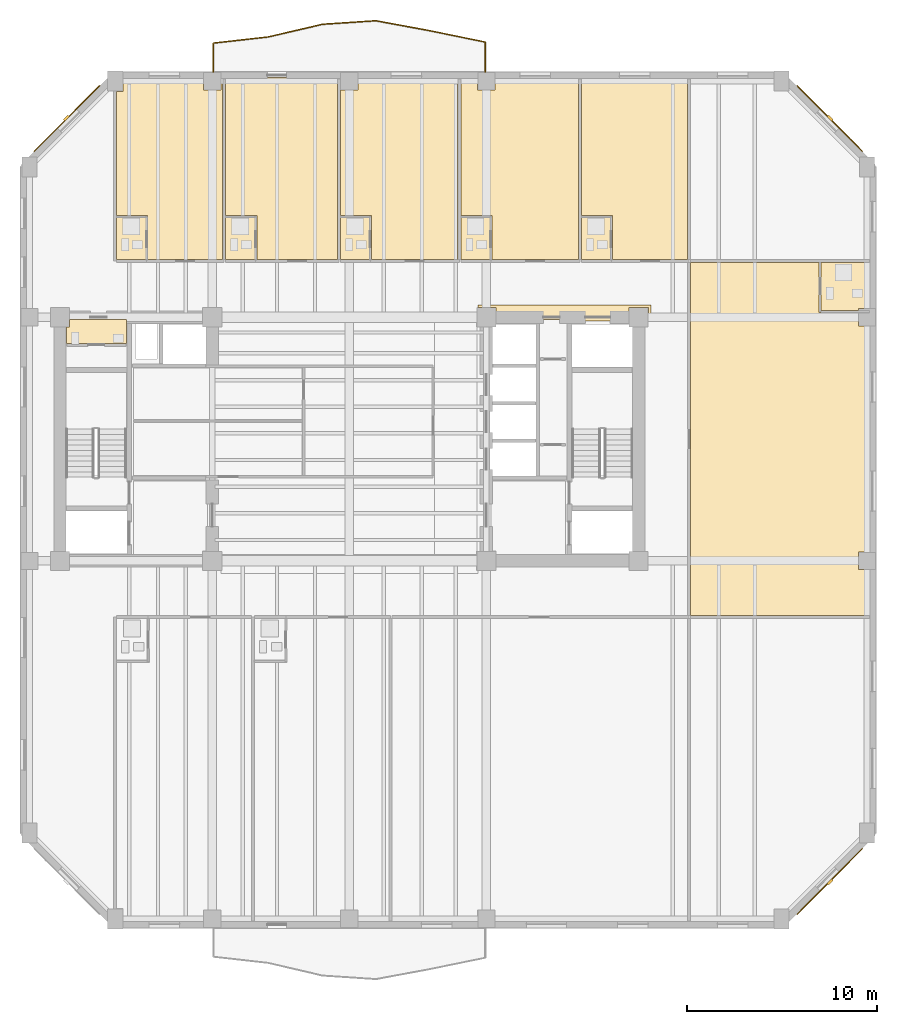
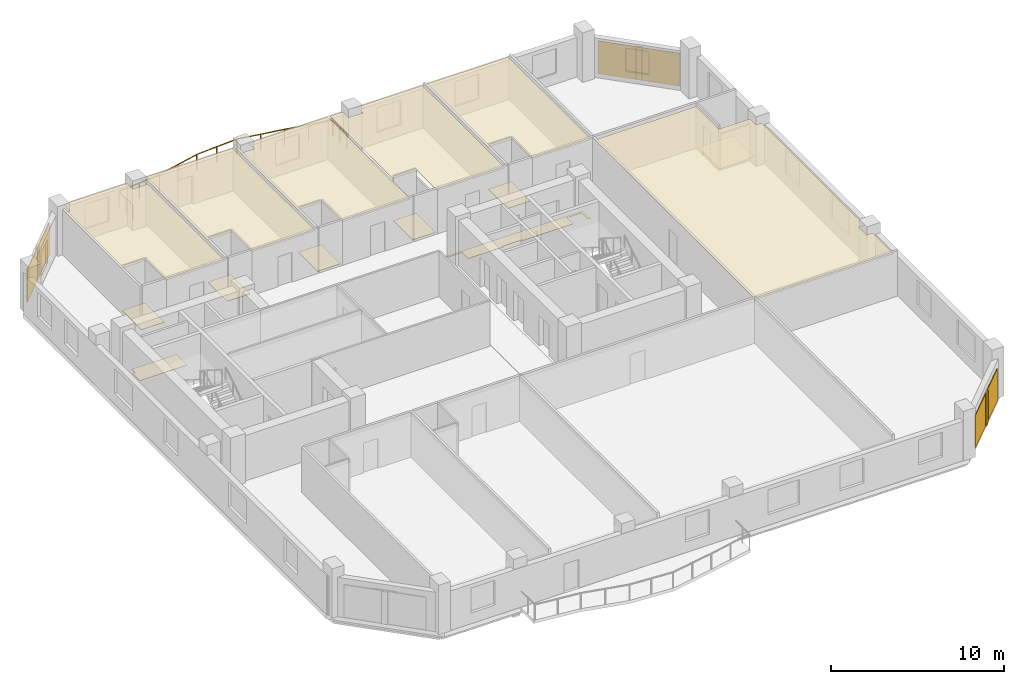
# One storey, part 8 of 9: 17 coverings, 3 shading devices, 1 railing.
"""IFC4 building model written with IfcOpenShell, lengths in metres."""

from ifc_helpers import new_model, si_unit, direction, frame, origin, origin_2d, place, context, subcontext, project, spatial, polyline, rectangle, circle, outline, extrude, material, layer, layer_set, type_object, element, save


model = new_model("IFC4")

# Units and contexts
model_context = context("Model", 3, precision=1e-05, world=origin(), true_north=direction((0.0, 1.0)))
body_context = subcontext(model_context, "Body", "Model", "MODEL_VIEW")
ifc_project = project(units=[si_unit("LENGTHUNIT", "METRE"), si_unit("AREAUNIT", "SQUARE_METRE"), si_unit("VOLUMEUNIT", "CUBIC_METRE"), si_unit("PLANEANGLEUNIT", "RADIAN"), si_unit("MASSUNIT", "GRAM", prefix="KILO")], contexts=[model_context])

# Site, building, storey
site_placement = place(None, origin())
site = spatial("IfcSite", under=ifc_project, at=site_placement, CompositionType="ELEMENT")
building_placement = place(site_placement, origin())
building = spatial("IfcBuilding", under=site, at=building_placement, Name="Kranthara Brick Stack", CompositionType="ELEMENT")
storey_placement = place(building_placement, frame((0.0, 0.0, 148.300048828125)))
storey = spatial("IfcBuildingStorey", under=building, at=storey_placement, Name="L37", CompositionType="ELEMENT", Elevation=148.300048828125)

# Coverings
ifc_material_1 = material(Name="Perforated mineral-fibre acoustic ceiling tile", Category="other")
ifc_layer_1 = layer(ifc_material_1, 0.02490234375)
ifc_layer_set_1 = layer_set([ifc_layer_1], Name="Perforated mineral-fibre acoustic ceiling tile")
covering_type_1 = type_object("IfcCoveringType", Name="COV-CEIL-ACOUSTIC", PredefinedType="CEILING", material=ifc_layer_set_1)
covering_1_placement = place(storey_placement, frame((0.0, 0.0, 2.929931640625)))
element("IfcCovering", 1, at=covering_1_placement, inside=storey, type_object=covering_type_1, Name="L37 Room L37-04 Hotel Guest Room Acoustic Ceiling", PredefinedType="CEILING", context=body_context, shape_type="SweptSolid", body=[
    extrude(outline(polyline([(21.347900390625, 36.6298828125), (17.409912109375, 36.6298828125), (17.409912109375, 38.93994140625), (15.780029296875, 38.93994140625), (15.780029296875, 45.465087890625), (16.110107421875, 45.465087890625), (16.110107421875, 46.199951171875), (20.340087890625, 46.199951171875), (20.340087890625, 45.5400390625), (21.260009765625, 45.5400390625), (21.260009765625, 46.199951171875), (21.347900390625, 46.199951171875), (21.347900390625, 36.6298828125)])), origin(), (0.0, 0.0, 1.0), 0.02490234375),
])
covering_2_placement = place(storey_placement, frame((0.0, 0.0, 2.929931640625)))
element("IfcCovering", 2, at=covering_2_placement, inside=storey, type_object=covering_type_1, Name="L37 Room L37-05 Hotel Guest Room Acoustic Ceiling", PredefinedType="CEILING", context=body_context, shape_type="SweptSolid", body=[
    extrude(outline(polyline([(23.137939453125, 36.6298828125), (27.37890625, 36.6298828125), (27.37890625, 46.199951171875), (21.508056640625, 46.199951171875), (21.508056640625, 38.93994140625), (23.137939453125, 38.93994140625), (23.137939453125, 36.6298828125)])), origin(), (0.0, 0.0, 1.0), 0.02490234375),
])
covering_3_placement = place(storey_placement, frame((0.0, 0.0, 2.929931640625)))
element("IfcCovering", 3, at=covering_3_placement, inside=storey, type_object=covering_type_1, Name="L37 Room L37-06 Hotel Guest Room Acoustic Ceiling", PredefinedType="CEILING", context=body_context, shape_type="SweptSolid", body=[
    extrude(outline(polyline([(33.7099609375, 46.199951171875), (33.7099609375, 36.6298828125), (29.1689453125, 36.6298828125), (29.1689453125, 38.93994140625), (27.5390625, 38.93994140625), (27.5390625, 46.199951171875), (27.5400390625, 46.199951171875), (27.5400390625, 45.5400390625), (28.4599609375, 45.5400390625), (28.4599609375, 46.199951171875), (33.7099609375, 46.199951171875)])), origin(), (0.0, 0.0, 1.0), 0.02490234375),
])
covering_4_placement = place(storey_placement, frame((0.0, 0.0, 2.929931640625)))
element("IfcCovering", 4, at=covering_4_placement, inside=storey, type_object=covering_type_1, Name="L37 Room L37-07 Hotel Guest Room Acoustic Ceiling", PredefinedType="CEILING", context=body_context, shape_type="SweptSolid", body=[
    extrude(outline(polyline([(40.041015625, 46.199951171875), (40.041015625, 36.6298828125), (35.5, 36.6298828125), (35.5, 38.93994140625), (33.8701171875, 38.93994140625), (33.8701171875, 46.199951171875), (34.739990234375, 46.199951171875), (34.739990234375, 45.5400390625), (35.659912109375, 45.5400390625), (35.659912109375, 46.199951171875), (40.041015625, 46.199951171875)])), origin(), (0.0, 0.0, 1.0), 0.02490234375),
])
covering_5_placement = place(storey_placement, frame((0.0, 0.0, 2.929931640625)))
element("IfcCovering", 5, at=covering_5_placement, inside=storey, type_object=covering_type_1, Name="L37 Room L37-08 Corner Junior Suite Acoustic Ceiling", PredefinedType="CEILING", context=body_context, shape_type="SweptSolid", body=[
    extrude(outline(polyline([(41.8310546875, 36.6298828125), (45.77001953125, 36.6298828125), (45.77001953125, 46.199951171875), (40.200927734375, 46.199951171875), (40.200927734375, 38.93994140625), (41.8310546875, 38.93994140625), (41.8310546875, 36.6298828125)])), origin(), (0.0, 0.0, 1.0), 0.02490234375),
])
covering_6_placement = place(storey_placement, frame((0.0, 0.0, 2.929931640625)))
element("IfcCovering", 6, at=covering_6_placement, inside=storey, type_object=covering_type_1, Name="L37 Room L37-09 Corner Junior Suite Acoustic Ceiling", PredefinedType="CEILING", context=body_context, shape_type="SweptSolid", body=[
    extrude(outline(polyline([(45.919921875, 17.929931640625), (45.919921875, 36.469970703125), (52.669921875, 36.469970703125), (52.669921875, 33.840087890625), (54.739990234375, 33.840087890625), (54.739990234375, 33.139892578125), (55.1298828125, 33.139892578125), (55.1298828125, 21.260009765625), (54.739990234375, 21.260009765625), (54.739990234375, 20.340087890625), (55.1298828125, 20.340087890625), (55.1298828125, 17.929931640625), (45.919921875, 17.929931640625)])), origin(), (0.0, 0.0, 1.0), 0.02490234375),
])
ifc_material_2 = material(Name="Warm buff kiln-fired brick slip rainscreen", Category="masonry")
ifc_layer_2 = layer(ifc_material_2, 0.044921875)
ifc_layer_set_2 = layer_set([ifc_layer_2], Name="Warm buff kiln-fired brick slip rainscreen")
covering_type_2 = type_object("IfcCoveringType", Name="COV-CLAD-BRICK", PredefinedType="CLADDING", material=ifc_layer_set_2)
for number, where, z_axis, x_axis, name in (
    (7, (13.15966796875, 44.040283203125, 0.0498046875), (0.0, 0.0, 1.0), (0.707106781187, 0.707106781187, 0.0), "L37 Chamfer Brick Rainscreen Cladding NW"),
    (8, (53.240478515625, 44.040283203125, 0.0498046875), (0.0, 0.0, 1.0), (0.707106781187, -0.707106781187, 0.0), "L37 Chamfer Brick Rainscreen Cladding NE"),
    (9, (53.240478515625, 3.959716796875, 0.0498046875), (0.0, 0.0, 1.0), (-0.707106781187, -0.707106781187, 0.0), "L37 Chamfer Brick Rainscreen Cladding SE"),
):
    element("IfcCovering", number, at=place(storey_placement, frame(where, z_axis=z_axis, x_axis=x_axis)), inside=storey, type_object=covering_type_2, Name=name, PredefinedType="CLADDING", context=body_context, shape_type="SweptSolid", body=[
        extrude(rectangle(XDim=4.89306640625, YDim=0.044921875, at=origin_2d()), origin(), (0.0, 0.0, 1.0), 2.300048828125),
    ])
ifc_material_3 = material(Name="Honed terrazzo and porcelain floor finish", Category="stone")
ifc_layer_3 = layer(ifc_material_3, 0.030029296875)
ifc_layer_set_3 = layer_set([ifc_layer_3], Name="Honed terrazzo and porcelain floor finish")
covering_type_3 = type_object("IfcCoveringType", Name="COV-FLOR-STONE", PredefinedType="FLOORING", material=ifc_layer_set_3)
covering_7_placement = place(storey_placement, origin())
element("IfcCovering", 10, at=covering_7_placement, inside=storey, type_object=covering_type_3, Name="L37 Wet Room Porcelain Flooring", PredefinedType="FLOORING", context=body_context, shape_type="SweptSolid", body=[
    extrude(outline(polyline([(16.300048828125, 33.47998046875), (16.300048828125, 32.22998046875), (13.14990234375, 32.22998046875), (13.14990234375, 33.090087890625), (13.31005859375, 33.090087890625), (13.31005859375, 33.47998046875), (16.300048828125, 33.47998046875)])), origin(), (0.0, 0.0, 1.0), 0.030029296875),
])
covering_8_placement = place(storey_placement, origin())
element("IfcCovering", 11, at=covering_8_placement, inside=storey, type_object=covering_type_3, Name="L37 Lift Lobby Stone Flooring", PredefinedType="FLOORING", context=body_context, shape_type="SweptSolid", body=[
    extrude(outline(polyline([(43.7099609375, 33.39990234375), (43.7099609375, 34.110107421875), (42.68994140625, 34.110107421875), (42.68994140625, 33.39990234375), (39.35009765625, 33.39990234375), (39.35009765625, 33.47998046875), (38.050048828125, 33.47998046875), (38.050048828125, 33.39990234375), (35.7099609375, 33.39990234375), (35.7099609375, 34.110107421875), (34.75, 34.110107421875), (34.75, 34.25), (43.85009765625, 34.25), (43.85009765625, 33.39990234375), (43.7099609375, 33.39990234375)])), origin(), (0.0, 0.0, 1.0), 0.030029296875),
])
covering_9_placement = place(storey_placement, origin())
element("IfcCovering", 12, at=covering_9_placement, inside=storey, type_object=covering_type_3, Name="L37 Wet Room Porcelain Flooring", PredefinedType="FLOORING", context=body_context, shape_type="SweptSolid", body=[
    extrude(outline(polyline([(15.780029296875, 36.6298828125), (15.780029296875, 38.8798828125), (17.31005859375, 38.8798828125), (17.31005859375, 36.6298828125), (15.780029296875, 36.6298828125)])), origin(), (0.0, 0.0, 1.0), 0.030029296875),
])
covering_10_placement = place(storey_placement, origin())
element("IfcCovering", 13, at=covering_10_placement, inside=storey, type_object=covering_type_3, Name="L37 Wet Room Porcelain Flooring", PredefinedType="FLOORING", context=body_context, shape_type="SweptSolid", body=[
    extrude(outline(polyline([(21.508056640625, 36.6298828125), (21.508056640625, 38.8798828125), (23.0380859375, 38.8798828125), (23.0380859375, 36.6298828125), (21.508056640625, 36.6298828125)])), origin(), (0.0, 0.0, 1.0), 0.030029296875),
])
covering_11_placement = place(storey_placement, origin())
element("IfcCovering", 14, at=covering_11_placement, inside=storey, type_object=covering_type_3, Name="L37 Wet Room Porcelain Flooring", PredefinedType="FLOORING", context=body_context, shape_type="SweptSolid", body=[
    extrude(outline(polyline([(27.5390625, 36.6298828125), (27.5390625, 38.8798828125), (29.069091796875, 38.8798828125), (29.069091796875, 36.6298828125), (27.5390625, 36.6298828125)])), origin(), (0.0, 0.0, 1.0), 0.030029296875),
])
covering_12_placement = place(storey_placement, origin())
element("IfcCovering", 15, at=covering_12_placement, inside=storey, type_object=covering_type_3, Name="L37 Wet Room Porcelain Flooring", PredefinedType="FLOORING", context=body_context, shape_type="SweptSolid", body=[
    extrude(outline(polyline([(33.8701171875, 36.6298828125), (33.8701171875, 38.8798828125), (35.39990234375, 38.8798828125), (35.39990234375, 36.6298828125), (33.8701171875, 36.6298828125)])), origin(), (0.0, 0.0, 1.0), 0.030029296875),
])
covering_13_placement = place(storey_placement, origin())
element("IfcCovering", 16, at=covering_13_placement, inside=storey, type_object=covering_type_3, Name="L37 Wet Room Porcelain Flooring", PredefinedType="FLOORING", context=body_context, shape_type="SweptSolid", body=[
    extrude(outline(polyline([(40.200927734375, 36.6298828125), (40.200927734375, 38.8798828125), (41.73095703125, 38.8798828125), (41.73095703125, 36.6298828125), (40.200927734375, 36.6298828125)])), origin(), (0.0, 0.0, 1.0), 0.030029296875),
])
covering_14_placement = place(storey_placement, origin())
element("IfcCovering", 17, at=covering_14_placement, inside=storey, type_object=covering_type_3, Name="L37 Wet Room Porcelain Flooring", PredefinedType="FLOORING", context=body_context, shape_type="SweptSolid", body=[
    extrude(outline(polyline([(52.7900390625, 36.469970703125), (55.1298828125, 36.469970703125), (55.1298828125, 34.06005859375), (54.739990234375, 34.06005859375), (54.739990234375, 33.9599609375), (52.7900390625, 33.9599609375), (52.7900390625, 36.469970703125)])), origin(), (0.0, 0.0, 1.0), 0.030029296875),
])

# Railing
ifc_material_4 = material(Name="Bronze anodised aluminium and laminated glass balustrade", Category="aluminium")
railing_type = type_object("IfcRailingType", Name="RL-BALC-1120", PredefinedType="BALUSTRADE", material=ifc_material_4)
railing_placement = place(storey_placement, frame((20.860107421875, 46.43994140625, 0.0)))
element("IfcRailing", 18, at=railing_placement, inside=storey, type_object=railing_type, Name="L37 North Rippling Balcony Balustrade", PredefinedType="BALUSTRADE", context=body_context, shape_type="SweptSolid", body=[
    extrude(circle(Radius=0.02392578125, at=origin_2d()), frame((0.0, 0.0, 1.09619140625), z_axis=(0.0, 1.0, 0.0), x_axis=(-1.0, 0.0, 0.0)), (0.0, 0.0, 1.0), 1.563720703125),
    extrude(circle(Radius=0.02392578125, at=origin_2d()), frame((0.0, 1.563720703125, 1.09619140625), z_axis=(0.993656698465, 0.112456060737, 0.0), x_axis=(-0.112456060737, 0.993656698465, 0.0)), (0.0, 0.0, 1.0), 2.898193359375),
    extrude(circle(Radius=0.02392578125, at=origin_2d()), frame((2.8798828125, 1.8896484375, 1.09619140625), z_axis=(0.974067526229, 0.22625749567, 0.0), x_axis=(-0.22625749567, 0.974067526229, 0.0)), (0.0, 0.0, 1.0), 2.94580078125),
    extrude(circle(Radius=0.02392578125, at=origin_2d()), frame((5.749267578125, 2.55615234375, 1.09619140625), z_axis=(0.997844380593, 0.065624630432, 0.0), x_axis=(-0.065624630432, 0.997844380593, 0.0)), (0.0, 0.0, 1.0), 2.790283203125),
    extrude(circle(Radius=0.02392578125, at=origin_2d()), frame((8.533447265625, 2.7392578125, 1.09619140625), z_axis=(0.983441014166, -0.181228506741, 0.0), x_axis=(0.181228506741, 0.983441014166, 0.0)), (0.0, 0.0, 1.0), 2.915283203125),
    extrude(circle(Radius=0.02392578125, at=origin_2d()), frame((11.400390625, 2.2109375, 1.09619140625), z_axis=(0.979459937751, -0.201638861189, 0.0), x_axis=(0.201638861189, 0.979459937751, 0.0)), (0.0, 0.0, 1.0), 2.939697265625),
    extrude(circle(Radius=0.02392578125, at=origin_2d()), frame((14.27978515625, 1.6181640625, 1.09619140625), z_axis=(0.0, -1.0, 0.0), x_axis=(1.0, 0.0, 0.0)), (0.0, 0.0, 1.0), 1.6181640625),
    extrude(circle(Radius=0.02099609375, at=origin_2d()), origin(), (0.0, 0.0, 1.0), 1.072021484375),
    extrude(circle(Radius=0.02099609375, at=origin_2d()), frame((0.0, 0.78173828125, 0.0)), (0.0, 0.0, 1.0), 1.072021484375),
    extrude(circle(Radius=0.02099609375, at=origin_2d()), frame((0.0, 1.563720703125, 0.0)), (0.0, 0.0, 1.0), 1.072021484375),
    extrude(circle(Radius=0.02099609375, at=origin_2d()), frame((1.43994140625, 1.7265625, 0.0)), (0.0, 0.0, 1.0), 1.072021484375),
    extrude(circle(Radius=0.02099609375, at=origin_2d()), frame((2.8798828125, 1.8896484375, 0.0)), (0.0, 0.0, 1.0), 1.072021484375),
    extrude(circle(Radius=0.02099609375, at=origin_2d()), frame((4.314453125, 2.222900390625, 0.0)), (0.0, 0.0, 1.0), 1.072021484375),
    extrude(circle(Radius=0.02099609375, at=origin_2d()), frame((5.749267578125, 2.55615234375, 0.0)), (0.0, 0.0, 1.0), 1.072021484375),
    extrude(circle(Radius=0.02099609375, at=origin_2d()), frame((7.141357421875, 2.647705078125, 0.0)), (0.0, 0.0, 1.0), 1.072021484375),
    extrude(circle(Radius=0.02099609375, at=origin_2d()), frame((8.533447265625, 2.7392578125, 0.0)), (0.0, 0.0, 1.0), 1.072021484375),
    extrude(circle(Radius=0.02099609375, at=origin_2d()), frame((9.966796875, 2.47509765625, 0.0)), (0.0, 0.0, 1.0), 1.072021484375),
    extrude(circle(Radius=0.02099609375, at=origin_2d()), frame((11.400390625, 2.2109375, 0.0)), (0.0, 0.0, 1.0), 1.072021484375),
    extrude(circle(Radius=0.02099609375, at=origin_2d()), frame((12.840087890625, 1.91455078125, 0.0)), (0.0, 0.0, 1.0), 1.072021484375),
    extrude(circle(Radius=0.02099609375, at=origin_2d()), frame((14.27978515625, 1.6181640625, 0.0)), (0.0, 0.0, 1.0), 1.072021484375),
    extrude(circle(Radius=0.02099609375, at=origin_2d()), frame((14.27978515625, 0.80908203125, 0.0)), (0.0, 0.0, 1.0), 1.072021484375),
    extrude(circle(Radius=0.02099609375, at=origin_2d()), frame((14.27978515625, 0.0, 0.0)), (0.0, 0.0, 1.0), 1.072021484375),
])

# Shading devices
ifc_material_5 = material(Name="Kiln-fired terracotta aerodynamic wind fin", Category="masonry")
shading_device_type = type_object("IfcShadingDeviceType", Name="SHD-BAFFLE-CORNER", PredefinedType="SHUTTER", material=ifc_material_5)
for number, where, z_axis, x_axis, name in (
    (19, (13.138427734375, 44.0615234375, 0.0498046875), (0.0, 0.0, 1.0), (0.707106781187, 0.707106781187, 0.0), "L37 Chamfer Wind-Baffle Fin NW"),
    (20, (53.26171875, 44.0615234375, 0.0498046875), (0.0, 0.0, 1.0), (0.707106781187, -0.707106781187, 0.0), "L37 Chamfer Wind-Baffle Fin NE"),
    (21, (53.26171875, 3.9384765625, 0.0498046875), (0.0, 0.0, 1.0), (-0.707106781187, -0.707106781187, 0.0), "L37 Chamfer Wind-Baffle Fin SE"),
):
    element("IfcShadingDevice", number, at=place(storey_placement, frame(where, z_axis=z_axis, x_axis=x_axis)), inside=storey, type_object=shading_device_type, Name=name, PredefinedType="SHUTTER", context=body_context, shape_type="SweptSolid", body=[
        extrude(rectangle(XDim=0.35009765625, YDim=0.1201171875, at=origin_2d()), origin(), (0.0, 0.0, 1.0), 2.300048828125),
    ])

save(model, "model.ifc")
